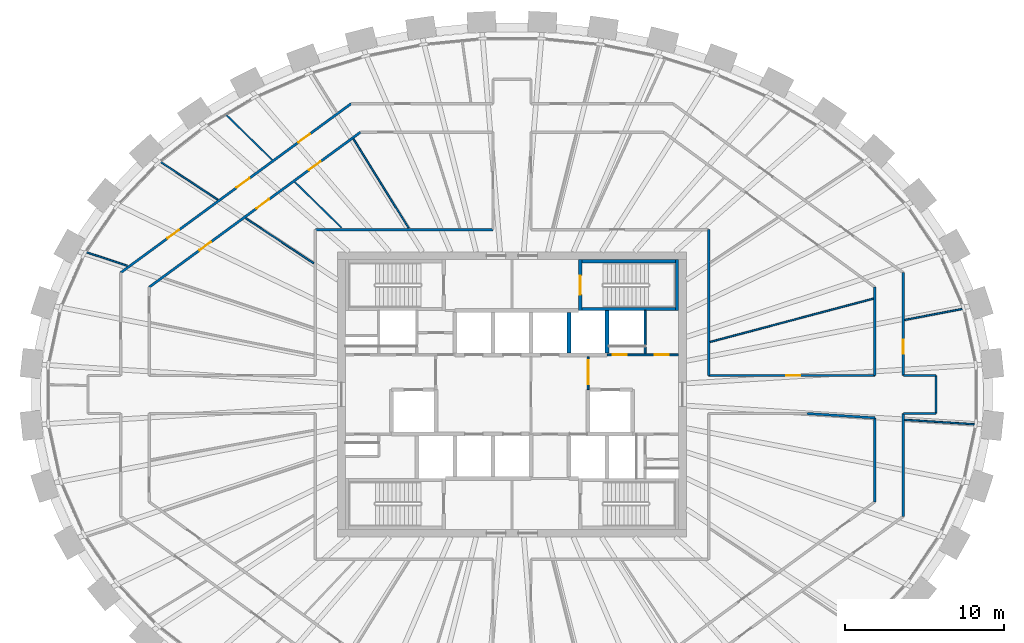
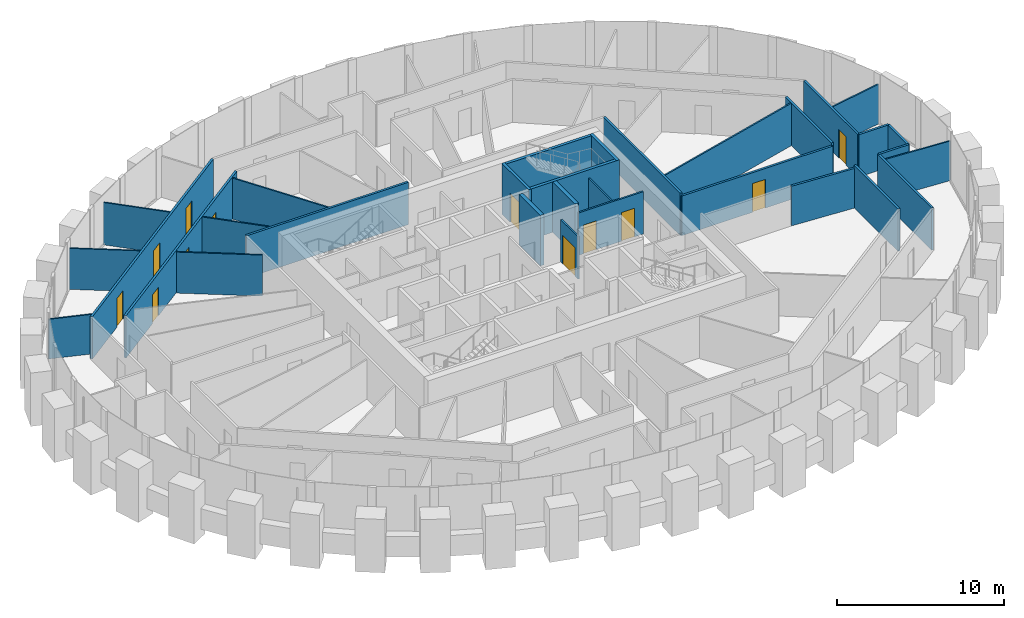
# One storey, part 9 of 12: 31 walls, 12 doors, 12 openings.
"""IFC4 building model written with IfcOpenShell, lengths in metres."""

from ifc_helpers import new_model, si_unit, direction, frame, frame_2d, origin, place, context, subcontext, project, spatial, rectangle, extrude, source, transform, mapped, material, layer, layer_set, type_object, element, fill, save


model = new_model("IFC4")

# Units and contexts
model_context = context("Model", 3, precision=1e-05, world=origin(), true_north=direction((0.0, 1.0)))
body_context = subcontext(model_context, "Body", "Model", "MODEL_VIEW")
ifc_project = project(units=[si_unit("LENGTHUNIT", "METRE"), si_unit("AREAUNIT", "SQUARE_METRE"), si_unit("VOLUMEUNIT", "CUBIC_METRE"), si_unit("PLANEANGLEUNIT", "RADIAN"), si_unit("MASSUNIT", "GRAM", prefix="KILO")], contexts=[model_context])

# Site, building, storey
site_placement = place(None, origin())
site = spatial("IfcSite", under=ifc_project, at=site_placement, CompositionType="ELEMENT")
building_placement = place(site_placement, origin())
building = spatial("IfcBuilding", under=site, at=building_placement, Name="Embergate Tower", CompositionType="ELEMENT")
storey_placement = place(building_placement, frame((0.0, 0.0, 309.10009765625)))
storey = spatial("IfcBuildingStorey", under=building, at=storey_placement, Name="L72", CompositionType="ELEMENT", Elevation=309.10009765625)

# Walls
ifc_material_1 = material(Name="Concrete C50", Category="concrete")
ifc_layer_1 = layer(ifc_material_1, 0.25)
ifc_layer_set_1 = layer_set([ifc_layer_1], Name="Concrete C50")
wall_type_1 = type_object("IfcWallType", Name="Hoistway wall reinforced concrete 250", PredefinedType="SHEAR", material=ifc_layer_set_1)
shared_shape_1 = source(origin(), body_context, "Body", "SweptSolid", [
    extrude(rectangle(XDim=2.675048828125, YDim=0.25, at=frame_2d((1.33740234375, 0.0))), origin(), (0.0, 0.0, 1.0), 3.699951171875),
])
wall_1_placement = place(storey_placement, frame((6.0, 2.625, 0.0), z_axis=(0.0, 0.0, 1.0), x_axis=(0.0, 1.0, 0.0)))
element("IfcWall", 1, at=wall_1_placement, inside=storey, type_object=wall_type_1, Name="HW-1 wall", PredefinedType="SHEAR", context=body_context, shape_type="MappedRepresentation", body=[
    mapped(shared_shape_1, transform((0.0, 0.0, 0.0))),
])
ifc_layer_2 = layer(ifc_material_1, 0.199951171875)
ifc_layer_set_2 = layer_set([ifc_layer_2], Name="Concrete C50")
wall_type_2 = type_object("IfcWallType", Name="Stair enclosure wall reinforced concrete 250", PredefinedType="SHEAR", material=ifc_layer_set_2)
shared_shape_2 = source(origin(), body_context, "Body", "SweptSolid", [
    extrude(rectangle(XDim=6.300048828125, YDim=0.199951171875, at=frame_2d((3.14990234375, 0.0))), origin(), (0.0, 0.0, 1.0), 3.699951171875),
])
wall_2_placement = place(storey_placement, frame((10.5, 5.39990234375, 0.0), z_axis=(0.0, 0.0, 1.0), x_axis=(-1.0, 0.0, 0.0)))
element("IfcWall", 2, at=wall_2_placement, inside=storey, type_object=wall_type_2, Name="SE-1 wall", PredefinedType="SHEAR", context=body_context, shape_type="MappedRepresentation", body=[
    mapped(shared_shape_2, transform((0.0, 0.0, 0.0))),
])
shared_shape_3 = source(origin(), body_context, "Body", "SweptSolid", [
    extrude(rectangle(XDim=2.550048828125, YDim=0.25, at=frame_2d((1.27490234375, 0.0))), origin(), (0.0, 0.0, 1.0), 3.699951171875),
])
wall_3_placement = place(storey_placement, frame((3.60009765625, 2.625, 0.0), z_axis=(0.0, 0.0, 1.0), x_axis=(0.0, 1.0, 0.0)))
element("IfcWall", 3, at=wall_3_placement, inside=storey, type_object=wall_type_1, Name="HW-1 wall", PredefinedType="SHEAR", context=body_context, shape_type="MappedRepresentation", body=[
    mapped(shared_shape_3, transform((0.0, 0.0, 0.0))),
])

# Wall, opening, door
shared_shape_4 = source(origin(), body_context, "Body", "SweptSolid", [
    extrude(rectangle(XDim=3.199951171875, YDim=0.199951171875, at=frame_2d((1.60009765625, 0.0))), origin(), (0.0, 0.0, 1.0), 3.699951171875),
])
wall_4_placement = place(storey_placement, frame((4.300048828125, 8.5, 0.0), z_axis=(0.0, 0.0, 1.0), x_axis=(0.0, -1.0, 0.0)))
wall_4 = element("IfcWall", 4, at=wall_4_placement, inside=storey, type_object=wall_type_2, Name="SE-1 wall", PredefinedType="SHEAR", context=body_context, shape_type="MappedRepresentation", body=[
    mapped(shared_shape_4, transform((0.0, 0.0, 0.0))),
])
shared_shape_5 = source(origin(), body_context, "Body", "SweptSolid", [
    extrude(rectangle(XDim=1.199951171875, YDim=2.10009765625, at=frame_2d((0.60009765625, 1.050048828125))), frame((0.0, 0.10986328125, 0.0), z_axis=(0.0, -1.0, 0.0), x_axis=(1.0, 0.0, 0.0)), (0.0, 0.0, 1.0), 0.219970703125),
])
opening_1_placement = place(wall_4_placement, frame((1.0, 0.0, 0.0)))
opening_1 = element("IfcOpeningElement", 5, at=opening_1_placement, cuts=wall_4, Name="Opening IF-2", PredefinedType="OPENING", context=body_context, shape_type="MappedRepresentation", body=[
    mapped(shared_shape_5, transform((0.0, 0.0, 0.0))),
])
ifc_material_2 = material(Name="Stair enclosure door 1200")
door_type_1 = type_object("IfcDoorType", Name="Stair enclosure door 1200", OperationType="SINGLE_SWING_LEFT", PredefinedType="DOOR", material=ifc_material_2)
shared_shape_6 = source(origin(), body_context, "Body", "SweptSolid", [
    extrude(rectangle(XDim=1.199951171875, YDim=2.10009765625, at=frame_2d((0.60009765625, 1.050048828125))), frame((0.0, 0.02490234375, 0.0), z_axis=(0.0, -1.0, 0.0), x_axis=(1.0, 0.0, 0.0)), (0.0, 0.0, 1.0), 0.050048828125),
])
door_1_placement = place(opening_1_placement, origin())
door_1 = element("IfcDoor", 6, at=door_1_placement, inside=storey, type_object=door_type_1, Name="IF-2 door", OperationType="SINGLE_SWING_RIGHT", OverallHeight=2.10009765625, OverallWidth=1.199951171875, PredefinedType="DOOR", context=body_context, shape_type="MappedRepresentation", body=[
    mapped(shared_shape_6, transform((0.0, 0.0, 0.0))),
])
fill(opening_1, door_1)

# Wall
ifc_material_3 = material(Name="Core partition blockwork 120")
ifc_layer_3 = layer(ifc_material_3, 0.1201171875)
ifc_layer_set_3 = layer_set([ifc_layer_3], Name="Core partition blockwork 120")
wall_type_3 = type_object("IfcWallType", Name="Core partition blockwork 120", PredefinedType="PARTITIONING", material=ifc_layer_set_3)
shared_shape_7 = source(origin(), body_context, "Body", "SweptSolid", [
    extrude(rectangle(XDim=2.739990234375, YDim=0.1201171875, at=frame_2d((1.3701171875, 0.0))), origin(), (0.0, 0.0, 1.0), 3.099853515625),
])
wall_5_placement = place(storey_placement, frame((8.39990234375, 2.56005859375, 0.0), z_axis=(0.0, 0.0, 1.0), x_axis=(0.0, 1.0, 0.0)))
element("IfcWall", 7, at=wall_5_placement, inside=storey, type_object=wall_type_3, Name="IP-3 wall", PredefinedType="PARTITIONING", context=body_context, shape_type="MappedRepresentation", body=[
    mapped(shared_shape_7, transform((0.0, 0.0, 0.0))),
])

# Wall, opening, door
shared_shape_8 = source(origin(), body_context, "Body", "SweptSolid", [
    extrude(rectangle(XDim=2.074951171875, YDim=0.1201171875, at=frame_2d((1.03759765625, 0.0))), origin(), (0.0, 0.0, 1.0), 3.099853515625),
])
wall_6_placement = place(storey_placement, frame((4.800048828125, 0.300048828125, 0.0), z_axis=(0.0, 0.0, 1.0), x_axis=(0.0, 1.0, 0.0)))
wall_6 = element("IfcWall", 8, at=wall_6_placement, inside=storey, type_object=wall_type_3, Name="IP-3 wall", PredefinedType="PARTITIONING", context=body_context, shape_type="MappedRepresentation", body=[
    mapped(shared_shape_8, transform((0.0, 0.0, 0.0))),
])
shared_shape_9 = source(origin(), body_context, "Body", "SweptSolid", [
    extrude(rectangle(XDim=1.5, YDim=2.10009765625, at=frame_2d((0.75, 1.050048828125))), frame((0.0, 0.070068359375, 0.0), z_axis=(0.0, -1.0, 0.0), x_axis=(1.0, 0.0, 0.0)), (0.0, 0.0, 1.0), 0.14013671875),
])
opening_2_placement = place(wall_6_placement, frame((0.35009765625, 0.0, 0.0)))
opening_2 = element("IfcOpeningElement", 9, at=opening_2_placement, cuts=wall_6, Name="Opening IF-3", PredefinedType="OPENING", context=body_context, shape_type="MappedRepresentation", body=[
    mapped(shared_shape_9, transform((0.0, 0.0, 0.0))),
])
ifc_material_4 = material(Name="Lobby fire door pair 1500")
door_type_2 = type_object("IfcDoorType", Name="Lobby fire door pair 1500", OperationType="DOUBLE_DOOR_SINGLE_SWING", PredefinedType="DOOR", material=ifc_material_4)
shared_shape_10 = source(origin(), body_context, "Body", "SweptSolid", [
    extrude(rectangle(XDim=1.5, YDim=2.10009765625, at=frame_2d((0.75, 1.050048828125))), frame((0.0, 0.02490234375, 0.0), z_axis=(0.0, -1.0, 0.0), x_axis=(1.0, 0.0, 0.0)), (0.0, 0.0, 1.0), 0.050048828125),
])
door_2_placement = place(opening_2_placement, origin())
door_2 = element("IfcDoor", 10, at=door_2_placement, inside=storey, type_object=door_type_2, Name="IF-3 door", OperationType="DOUBLE_DOOR_SINGLE_SWING", OverallHeight=2.10009765625, OverallWidth=1.5, PredefinedType="DOOR", context=body_context, shape_type="MappedRepresentation", body=[
    mapped(shared_shape_10, transform((0.0, 0.0, 0.0))),
])
fill(opening_2, door_2)

# Walls
ifc_material_5 = material(Name="Partition dry-lined 100")
ifc_layer_4 = layer(ifc_material_5, 0.10009765625)
ifc_layer_set_4 = layer_set([ifc_layer_4], Name="Partition dry-lined 100")
wall_type_4 = type_object("IfcWallType", Name="Partition dry-lined 100", PredefinedType="PARTITIONING", material=ifc_layer_set_4)
shared_shape_11 = source(origin(), body_context, "Body", "SweptSolid", [
    extrude(rectangle(XDim=4.35986328125, YDim=0.10009765625, at=frame_2d((2.179931640625, 0.0))), origin(), (0.0, 0.0, 1.0), 3.0),
])
wall_7_placement = place(storey_placement, frame((-18.56103515625, 12.283935546875, 0.0), z_axis=(0.0, 0.0, 1.0), x_axis=(-0.833949259323, 0.551841130104, 0.0)))
element("IfcWall", 11, at=wall_7_placement, inside=storey, type_object=wall_type_4, Name="IP-1 wall", PredefinedType="PARTITIONING", context=body_context, shape_type="MappedRepresentation", body=[
    mapped(shared_shape_11, transform((0.0, 0.0, 0.0))),
])
ifc_material_6 = material(Name="Corridor wall dry-lined 150")
ifc_layer_5 = layer(ifc_material_6, 0.14990234375)
ifc_layer_set_5 = layer_set([ifc_layer_5], Name="Corridor wall dry-lined 150")
wall_type_5 = type_object("IfcWallType", Name="Corridor wall dry-lined 150", PredefinedType="PARTITIONING", material=ifc_layer_set_5)
shared_shape_12 = source(origin(), body_context, "Body", "SweptSolid", [
    extrude(rectangle(XDim=2.39990234375, YDim=0.14990234375, at=frame_2d((1.199951171875, 0.0))), origin(), (0.0, 0.0, 1.0), 3.099853515625),
])
wall_8_placement = place(storey_placement, frame((26.740966796875, -1.199951171875, 0.0), z_axis=(0.0, 0.0, 1.0), x_axis=(0.0, 1.0, 0.0)))
element("IfcWall", 12, at=wall_8_placement, inside=storey, type_object=wall_type_5, Name="IP-2 wall", PredefinedType="PARTITIONING", context=body_context, shape_type="MappedRepresentation", body=[
    mapped(shared_shape_12, transform((0.0, 0.0, 0.0))),
])
shared_shape_13 = source(origin(), body_context, "Body", "SweptSolid", [
    extrude(rectangle(XDim=9.199951171875, YDim=0.14990234375, at=frame_2d((4.60009765625, 0.0))), origin(), (0.0, 0.0, 1.0), 3.099853515625),
])
wall_9_placement = place(storey_placement, frame((12.39990234375, 10.39990234375, 0.0), z_axis=(0.0, 0.0, 1.0), x_axis=(0.0, -1.0, 0.0)))
element("IfcWall", 13, at=wall_9_placement, inside=storey, type_object=wall_type_5, Name="IP-2 wall", PredefinedType="PARTITIONING", context=body_context, shape_type="MappedRepresentation", body=[
    mapped(shared_shape_13, transform((0.0, 0.0, 0.0))),
])
shared_shape_14 = source(origin(), body_context, "Body", "SweptSolid", [
    extrude(rectangle(XDim=11.199951171875, YDim=0.14990234375, at=frame_2d((5.60009765625, 0.0))), origin(), (0.0, 0.0, 1.0), 3.099853515625),
])
wall_10_placement = place(storey_placement, frame((-12.39990234375, 10.39990234375, 0.0), z_axis=(0.0, 0.0, 1.0), x_axis=(1.0, 0.0, 0.0)))
element("IfcWall", 14, at=wall_10_placement, inside=storey, type_object=wall_type_5, Name="IP-2 wall", PredefinedType="PARTITIONING", context=body_context, shape_type="MappedRepresentation", body=[
    mapped(shared_shape_14, transform((0.0, 0.0, 0.0))),
])

# Wall, openings, doors
shared_shape_15 = source(origin(), body_context, "Body", "SweptSolid", [
    extrude(rectangle(XDim=4.5, YDim=0.1201171875, at=frame_2d((2.25, 0.0))), origin(), (0.0, 0.0, 1.0), 3.099853515625),
])
wall_11_placement = place(storey_placement, frame((6.0, 2.5, 0.0), z_axis=(0.0, 0.0, 1.0), x_axis=(1.0, 0.0, 0.0)))
wall_11 = element("IfcWall", 15, at=wall_11_placement, inside=storey, type_object=wall_type_3, Name="IP-3 wall", PredefinedType="PARTITIONING", context=body_context, shape_type="MappedRepresentation", body=[
    mapped(shared_shape_15, transform((0.0, 0.0, 0.0))),
])
shared_shape_16 = source(origin(), body_context, "Body", "SweptSolid", [
    extrude(rectangle(XDim=0.89990234375, YDim=2.10009765625, at=frame_2d((0.449951171875, 1.050048828125))), frame((0.0, 0.070068359375, 0.0), z_axis=(0.0, -1.0, 0.0), x_axis=(1.0, 0.0, 0.0)), (0.0, 0.0, 1.0), 0.14013671875),
])
opening_3_placement = place(wall_11_placement, frame((0.35009765625, 0.0, 0.0)))
opening_3 = element("IfcOpeningElement", 16, at=opening_3_placement, cuts=wall_11, Name="Opening ID-1", PredefinedType="OPENING", context=body_context, shape_type="MappedRepresentation", body=[
    mapped(shared_shape_16, transform((0.0, 0.0, 0.0))),
])
opening_4_placement = place(wall_11_placement, frame((3.0, 0.0, 0.0)))
opening_4 = element("IfcOpeningElement", 17, at=opening_4_placement, cuts=wall_11, Name="Opening ID-1", PredefinedType="OPENING", context=body_context, shape_type="MappedRepresentation", body=[
    mapped(shared_shape_16, transform((0.0, 0.0, 0.0))),
])
ifc_material_7 = material(Name="Interior door 900")
door_type_3 = type_object("IfcDoorType", Name="Interior door 900", OperationType="SINGLE_SWING_LEFT", PredefinedType="DOOR", material=ifc_material_7)
shared_shape_17 = source(origin(), body_context, "Body", "SweptSolid", [
    extrude(rectangle(XDim=0.89990234375, YDim=2.10009765625, at=frame_2d((0.449951171875, 1.050048828125))), frame((0.0, 0.02490234375, 0.0), z_axis=(0.0, -1.0, 0.0), x_axis=(1.0, 0.0, 0.0)), (0.0, 0.0, 1.0), 0.050048828125),
])
door_3_placement = place(opening_3_placement, origin())
door_3 = element("IfcDoor", 18, at=door_3_placement, inside=storey, type_object=door_type_3, Name="ID-1 door", OperationType="SINGLE_SWING_RIGHT", OverallHeight=2.10009765625, OverallWidth=0.89990234375, PredefinedType="DOOR", context=body_context, shape_type="MappedRepresentation", body=[
    mapped(shared_shape_17, transform((0.0, 0.0, 0.0))),
])
fill(opening_3, door_3)
door_4_placement = place(opening_4_placement, origin())
door_4 = element("IfcDoor", 19, at=door_4_placement, inside=storey, type_object=door_type_3, Name="ID-1 door", OperationType="SINGLE_SWING_LEFT", OverallHeight=2.10009765625, OverallWidth=0.89990234375, PredefinedType="DOOR", context=body_context, shape_type="MappedRepresentation", body=[
    mapped(shared_shape_17, transform((0.0, 0.0, 0.0))),
])
fill(opening_4, door_4)

# Walls
shared_shape_18 = source(origin(), body_context, "Body", "SweptSolid", [
    extrude(rectangle(XDim=6.298095703125, YDim=0.199951171875, at=frame_2d((3.14892578125, 0.0))), origin(), (0.0, 0.0, 1.0), 3.699951171875),
])
wall_12_placement = place(storey_placement, frame((10.5, 8.39990234375, 0.0), z_axis=(0.0, 0.0, 1.0), x_axis=(-1.0, 0.0, 0.0)))
element("IfcWall", 20, at=wall_12_placement, inside=storey, type_object=wall_type_2, Name="SE-1 wall", PredefinedType="SHEAR", context=body_context, shape_type="MappedRepresentation", body=[
    mapped(shared_shape_18, transform((0.0, 0.0, 0.0))),
])
shared_shape_19 = source(origin(), body_context, "Body", "SweptSolid", [
    extrude(rectangle(XDim=3.197998046875, YDim=0.199951171875, at=frame_2d((1.59912109375, 0.0))), origin(), (0.0, 0.0, 1.0), 3.699951171875),
])
wall_13_placement = place(storey_placement, frame((10.39990234375, 5.302001953125, 0.0), z_axis=(0.0, 0.0, 1.0), x_axis=(0.0, 1.0, 0.0)))
element("IfcWall", 21, at=wall_13_placement, inside=storey, type_object=wall_type_2, Name="SE-1 wall", PredefinedType="SHEAR", context=body_context, shape_type="MappedRepresentation", body=[
    mapped(shared_shape_19, transform((0.0, 0.0, 0.0))),
])
shared_shape_20 = source(origin(), body_context, "Body", "SweptSolid", [
    extrude(rectangle(XDim=6.612060546875, YDim=0.10009765625, at=frame_2d((3.30615234375, 0.0))), origin(), (0.0, 0.0, 1.0), 3.0),
])
wall_14_placement = place(storey_placement, frame((-6.51806640625, 10.5009765625, 0.0), z_axis=(0.0, 0.0, 1.0), x_axis=(-0.527344479033, 0.849651575902, 0.0)))
element("IfcWall", 22, at=wall_14_placement, inside=storey, type_object=wall_type_4, Name="IP-1 wall", PredefinedType="PARTITIONING", context=body_context, shape_type="MappedRepresentation", body=[
    mapped(shared_shape_20, transform((0.0, 0.0, 0.0))),
])
shared_shape_21 = source(origin(), body_context, "Body", "SweptSolid", [
    extrude(rectangle(XDim=5.1494140625, YDim=0.10009765625, at=frame_2d((2.57470703125, 0.0))), origin(), (0.0, 0.0, 1.0), 3.0),
])
wall_15_placement = place(storey_placement, frame((-12.5029296875, 8.27392578125, 0.0), z_axis=(0.0, 0.0, 1.0), x_axis=(-0.833905572374, 0.551907144693, 0.0)))
element("IfcWall", 23, at=wall_15_placement, inside=storey, type_object=wall_type_4, Name="IP-1 wall", PredefinedType="PARTITIONING", context=body_context, shape_type="MappedRepresentation", body=[
    mapped(shared_shape_21, transform((0.0, 0.0, 0.0))),
])

# Wall, openings, doors
shared_shape_22 = source(origin(), body_context, "Body", "SweptSolid", [
    extrude(rectangle(XDim=18.027099609375, YDim=0.14990234375, at=frame_2d((9.013671875, 0.0))), origin(), (0.0, 0.0, 1.0), 3.099853515625),
])
wall_16_placement = place(storey_placement, frame((-10.14501953125, 18.341064453125, 0.0), z_axis=(0.0, 0.0, 1.0), x_axis=(-0.80638475932, -0.591391257914, 0.0)))
wall_16 = element("IfcWall", 24, at=wall_16_placement, inside=storey, type_object=wall_type_5, Name="IP-2 wall", PredefinedType="PARTITIONING", context=body_context, shape_type="MappedRepresentation", body=[
    mapped(shared_shape_22, transform((0.0, 0.0, 0.0))),
])
shared_shape_23 = source(origin(), body_context, "Body", "SweptSolid", [
    extrude(rectangle(XDim=0.89990234375, YDim=2.10009765625, at=frame_2d((0.449951171875, 1.050048828125))), frame((0.0, 0.0849609375, 0.0), z_axis=(0.0, -1.0, 0.0), x_axis=(1.0, 0.0, 0.0)), (0.0, 0.0, 1.0), 0.169921875),
])
opening_5_placement = place(wall_16_placement, frame((3.23291015625, 0.0, 0.0)))
opening_5 = element("IfcOpeningElement", 25, at=opening_5_placement, cuts=wall_16, Name="Opening IF-1c", PredefinedType="OPENING", context=body_context, shape_type="MappedRepresentation", body=[
    mapped(shared_shape_23, transform((0.0, 0.0, 0.0))),
])
shared_shape_24 = source(origin(), body_context, "Body", "SweptSolid", [
    extrude(rectangle(XDim=1.0, YDim=2.10009765625, at=frame_2d((0.5, 1.050048828125))), frame((0.0, 0.0849609375, 0.0), z_axis=(0.0, -1.0, 0.0), x_axis=(1.0, 0.0, 0.0)), (0.0, 0.0, 1.0), 0.169921875),
])
opening_6_placement = place(wall_16_placement, frame((7.953125, 0.0, 0.0)))
opening_6 = element("IfcOpeningElement", 26, at=opening_6_placement, cuts=wall_16, Name="Opening ID-2", PredefinedType="OPENING", context=body_context, shape_type="MappedRepresentation", body=[
    mapped(shared_shape_24, transform((0.0, 0.0, 0.0))),
])
opening_7_placement = place(wall_16_placement, frame((13.453369140625, 0.0, 0.0)))
opening_7 = element("IfcOpeningElement", 27, at=opening_7_placement, cuts=wall_16, Name="Opening IF-1c", PredefinedType="OPENING", context=body_context, shape_type="MappedRepresentation", body=[
    mapped(shared_shape_23, transform((0.0, 0.0, 0.0))),
])
ifc_material_8 = material(Name="Escape fire door 900")
door_type_4 = type_object("IfcDoorType", Name="Escape fire door 900", OperationType="SINGLE_SWING_LEFT", PredefinedType="DOOR", material=ifc_material_8)
door_5_placement = place(opening_5_placement, origin())
door_5 = element("IfcDoor", 28, at=door_5_placement, inside=storey, type_object=door_type_4, Name="IF-1 door", OperationType="SINGLE_SWING_RIGHT", OverallHeight=2.10009765625, OverallWidth=0.89990234375, PredefinedType="DOOR", context=body_context, shape_type="MappedRepresentation", body=[
    mapped(shared_shape_17, transform((0.0, 0.0, 0.0))),
])
fill(opening_5, door_5)
door_6_placement = place(opening_7_placement, origin())
door_6 = element("IfcDoor", 29, at=door_6_placement, inside=storey, type_object=door_type_4, Name="IF-1 door", OperationType="SINGLE_SWING_RIGHT", OverallHeight=2.10009765625, OverallWidth=0.89990234375, PredefinedType="DOOR", context=body_context, shape_type="MappedRepresentation", body=[
    mapped(shared_shape_17, transform((0.0, 0.0, 0.0))),
])
fill(opening_7, door_6)
ifc_material_9 = material(Name="Interior door 1000")
door_type_5 = type_object("IfcDoorType", Name="Interior door 1000", OperationType="SINGLE_SWING_LEFT", PredefinedType="DOOR", material=ifc_material_9)
shared_shape_25 = source(origin(), body_context, "Body", "SweptSolid", [
    extrude(rectangle(XDim=1.0, YDim=2.10009765625, at=frame_2d((0.5, 1.050048828125))), frame((0.0, 0.02490234375, 0.0), z_axis=(0.0, -1.0, 0.0), x_axis=(1.0, 0.0, 0.0)), (0.0, 0.0, 1.0), 0.050048828125),
])
door_7_placement = place(opening_6_placement, origin())
door_7 = element("IfcDoor", 30, at=door_7_placement, inside=storey, type_object=door_type_5, Name="ID-2 door", OperationType="SINGLE_SWING_RIGHT", OverallHeight=2.10009765625, OverallWidth=1.0, PredefinedType="DOOR", context=body_context, shape_type="MappedRepresentation", body=[
    mapped(shared_shape_25, transform((0.0, 0.0, 0.0))),
])
fill(opening_6, door_7)

shared_shape_26 = source(origin(), body_context, "Body", "SweptSolid", [
    extrude(rectangle(XDim=16.525634765625, YDim=0.14990234375, at=frame_2d((8.2626953125, 0.0))), origin(), (0.0, 0.0, 1.0), 3.099853515625),
])
wall_17_placement = place(storey_placement, frame((-22.882080078125, 6.76806640625, 0.0), z_axis=(0.0, 0.0, 1.0), x_axis=(0.806392784122, 0.591380315631, 0.0)))
wall_17 = element("IfcWall", 31, at=wall_17_placement, inside=storey, type_object=wall_type_5, Name="IP-2 wall", PredefinedType="PARTITIONING", context=body_context, shape_type="MappedRepresentation", body=[
    mapped(shared_shape_26, transform((0.0, 0.0, 0.0))),
])
opening_8_placement = place(wall_17_placement, frame((12.513671875, 0.0, 0.0)))
opening_8 = element("IfcOpeningElement", 32, at=opening_8_placement, cuts=wall_17, Name="Opening IF-1c", PredefinedType="OPENING", context=body_context, shape_type="MappedRepresentation", body=[
    mapped(shared_shape_23, transform((0.0, 0.0, 0.0))),
])
opening_9_placement = place(wall_17_placement, frame((8.378662109375, 0.0, 0.0)))
opening_9 = element("IfcOpeningElement", 33, at=opening_9_placement, cuts=wall_17, Name="Opening ID-2", PredefinedType="OPENING", context=body_context, shape_type="MappedRepresentation", body=[
    mapped(shared_shape_24, transform((0.0, 0.0, 0.0))),
])
opening_10_placement = place(wall_17_placement, frame((3.93310546875, 0.0, 0.0)))
opening_10 = element("IfcOpeningElement", 34, at=opening_10_placement, cuts=wall_17, Name="Opening IF-1c", PredefinedType="OPENING", context=body_context, shape_type="MappedRepresentation", body=[
    mapped(shared_shape_23, transform((0.0, 0.0, 0.0))),
])
door_8_placement = place(opening_8_placement, origin())
door_8 = element("IfcDoor", 35, at=door_8_placement, inside=storey, type_object=door_type_4, Name="IF-1 door", OperationType="SINGLE_SWING_LEFT", OverallHeight=2.10009765625, OverallWidth=0.89990234375, PredefinedType="DOOR", context=body_context, shape_type="MappedRepresentation", body=[
    mapped(shared_shape_17, transform((0.0, 0.0, 0.0))),
])
fill(opening_8, door_8)
door_9_placement = place(opening_10_placement, origin())
door_9 = element("IfcDoor", 36, at=door_9_placement, inside=storey, type_object=door_type_4, Name="IF-1 door", OperationType="SINGLE_SWING_LEFT", OverallHeight=2.10009765625, OverallWidth=0.89990234375, PredefinedType="DOOR", context=body_context, shape_type="MappedRepresentation", body=[
    mapped(shared_shape_17, transform((0.0, 0.0, 0.0))),
])
fill(opening_10, door_9)
door_10_placement = place(opening_9_placement, origin())
door_10 = element("IfcDoor", 37, at=door_10_placement, inside=storey, type_object=door_type_5, Name="ID-2 door", OperationType="SINGLE_SWING_LEFT", OverallHeight=2.10009765625, OverallWidth=1.0, PredefinedType="DOOR", context=body_context, shape_type="MappedRepresentation", body=[
    mapped(shared_shape_25, transform((0.0, 0.0, 0.0))),
])
fill(opening_9, door_10)

# Wall
ifc_material_10 = material(Name="Corridor wall dry-lined 150 wet")
ifc_layer_6 = layer(ifc_material_10, 0.14990234375)
ifc_layer_set_6 = layer_set([ifc_layer_6], Name="Corridor wall dry-lined 150 wet")
wall_type_6 = type_object("IfcWallType", Name="Corridor wall dry-lined 150 wet", PredefinedType="PLUMBINGWALL", material=ifc_layer_set_6)
shared_shape_27 = source(origin(), body_context, "Body", "SweptSolid", [
    extrude(rectangle(XDim=6.47998046875, YDim=0.14990234375, at=frame_2d((3.239990234375, 0.0))), origin(), (0.0, 0.0, 1.0), 3.099853515625),
])
wall_18_placement = place(storey_placement, frame((24.681884765625, -7.679931640625, 0.0), z_axis=(0.0, 0.0, 1.0), x_axis=(0.0, 1.0, 0.0)))
element("IfcWall", 38, at=wall_18_placement, inside=storey, type_object=wall_type_6, Name="IP-2 wall", PredefinedType="PLUMBINGWALL", context=body_context, shape_type="MappedRepresentation", body=[
    mapped(shared_shape_27, transform((0.0, 0.0, 0.0))),
])

# Wall, opening, door
wall_19_placement = place(storey_placement, frame((24.681884765625, 1.199951171875, 0.0), z_axis=(0.0, 0.0, 1.0), x_axis=(0.0, 1.0, 0.0)))
wall_19 = element("IfcWall", 39, at=wall_19_placement, inside=storey, type_object=wall_type_5, Name="IP-2 wall", PredefinedType="PARTITIONING", context=body_context, shape_type="MappedRepresentation", body=[
    mapped(shared_shape_27, transform((0.0, 0.0, 0.0))),
])
opening_11_placement = place(wall_19_placement, frame((1.35498046875, 0.0, 0.0)))
opening_11 = element("IfcOpeningElement", 40, at=opening_11_placement, cuts=wall_19, Name="Opening IF-1c", PredefinedType="OPENING", context=body_context, shape_type="MappedRepresentation", body=[
    mapped(shared_shape_23, transform((0.0, 0.0, 0.0))),
])
door_11_placement = place(opening_11_placement, origin())
door_11 = element("IfcDoor", 41, at=door_11_placement, inside=storey, type_object=door_type_4, Name="IF-1 door", OperationType="SINGLE_SWING_LEFT", OverallHeight=2.10009765625, OverallWidth=0.89990234375, PredefinedType="DOOR", context=body_context, shape_type="MappedRepresentation", body=[
    mapped(shared_shape_17, transform((0.0, 0.0, 0.0))),
])
fill(opening_11, door_11)

# Walls
shared_shape_28 = source(origin(), body_context, "Body", "SweptSolid", [
    extrude(rectangle(XDim=4.27294921875, YDim=0.14990234375, at=frame_2d((2.136474609375, 0.0))), origin(), (0.0, 0.0, 1.0), 2.89990234375),
])
wall_20_placement = place(storey_placement, frame((18.617919921875, -1.199951171875, 0.0), z_axis=(0.0, 0.0, 1.0), x_axis=(0.997924716851, -0.064391455164, 0.0)))
element("IfcWall", 42, at=wall_20_placement, inside=storey, type_object=wall_type_5, Name="IP-2 wall", PredefinedType="PARTITIONING", context=body_context, shape_type="MappedRepresentation", body=[
    mapped(shared_shape_28, transform((0.0, 0.0, 0.0))),
])
shared_shape_29 = source(origin(), body_context, "Body", "SweptSolid", [
    extrude(rectangle(XDim=5.29296875, YDim=0.14990234375, at=frame_2d((2.646484375, 0.0))), origin(), (0.0, 0.0, 1.0), 3.099853515625),
])
wall_21_placement = place(storey_placement, frame((22.882080078125, -1.47509765625, 0.0), z_axis=(0.0, 0.0, 1.0), x_axis=(0.0, -1.0, 0.0)))
element("IfcWall", 43, at=wall_21_placement, inside=storey, type_object=wall_type_5, Name="IP-2 wall", PredefinedType="PARTITIONING", context=body_context, shape_type="MappedRepresentation", body=[
    mapped(shared_shape_29, transform((0.0, 0.0, 0.0))),
])
shared_shape_30 = source(origin(), body_context, "Body", "SweptSolid", [
    extrude(rectangle(XDim=2.05908203125, YDim=0.14990234375, at=frame_2d((1.029541015625, 0.0))), origin(), (0.0, 0.0, 1.0), 3.099853515625),
])
for number, where, z_axis, x_axis, name in (
    (44, (24.681884765625, -1.199951171875, 0.0), (0.0, 0.0, 1.0), (1.0, 0.0, 0.0), "IP-2 wall"),
    (45, (26.740966796875, 1.199951171875, 0.0), (0.0, 0.0, 1.0), (-1.0, 0.0, 0.0), "IP-2 wall"),
):
    element("IfcWall", number, at=place(storey_placement, frame(where, z_axis=z_axis, x_axis=x_axis)), inside=storey, type_object=wall_type_5, Name=name, PredefinedType="PARTITIONING", context=body_context, shape_type="MappedRepresentation", body=[
        mapped(shared_shape_30, transform((0.0, 0.0, 0.0))),
    ])

# Wall, opening, door
shared_shape_31 = source(origin(), body_context, "Body", "SweptSolid", [
    extrude(rectangle(XDim=10.482177734375, YDim=0.14990234375, at=frame_2d((5.2412109375, 0.0))), origin(), (0.0, 0.0, 1.0), 2.89990234375),
])
wall_22_placement = place(storey_placement, frame((12.39990234375, 1.199951171875, 0.0), z_axis=(0.0, 0.0, 1.0), x_axis=(1.0, 0.0, 0.0)))
wall_22 = element("IfcWall", 46, at=wall_22_placement, inside=storey, type_object=wall_type_5, Name="IP-2 wall", PredefinedType="PARTITIONING", context=body_context, shape_type="MappedRepresentation", body=[
    mapped(shared_shape_31, transform((0.0, 0.0, 0.0))),
])
opening_12_placement = place(wall_22_placement, frame((4.881103515625, 0.0, 0.0)))
opening_12 = element("IfcOpeningElement", 47, at=opening_12_placement, cuts=wall_22, Name="Opening IF-1c", PredefinedType="OPENING", context=body_context, shape_type="MappedRepresentation", body=[
    mapped(shared_shape_23, transform((0.0, 0.0, 0.0))),
])
door_12_placement = place(opening_12_placement, origin())
door_12 = element("IfcDoor", 48, at=door_12_placement, inside=storey, type_object=door_type_4, Name="IF-1 door", OperationType="SINGLE_SWING_RIGHT", OverallHeight=2.10009765625, OverallWidth=0.89990234375, PredefinedType="DOOR", context=body_context, shape_type="MappedRepresentation", body=[
    mapped(shared_shape_17, transform((0.0, 0.0, 0.0))),
])
fill(opening_12, door_12)

# Walls
shared_shape_32 = source(origin(), body_context, "Body", "SweptSolid", [
    extrude(rectangle(XDim=5.568115234375, YDim=0.14990234375, at=frame_2d((2.7841796875, 0.0))), origin(), (0.0, 0.0, 1.0), 3.099853515625),
])
wall_23_placement = place(storey_placement, frame((22.882080078125, 1.199951171875, 0.0), z_axis=(0.0, 0.0, 1.0), x_axis=(0.0, 1.0, 0.0)))
element("IfcWall", 49, at=wall_23_placement, inside=storey, type_object=wall_type_5, Name="IP-2 wall", PredefinedType="PARTITIONING", context=body_context, shape_type="MappedRepresentation", body=[
    mapped(shared_shape_32, transform((0.0, 0.0, 0.0))),
])
shared_shape_33 = source(origin(), body_context, "Body", "SweptSolid", [
    extrude(rectangle(XDim=2.76171875, YDim=0.10009765625, at=frame_2d((1.380859375, 0.0))), origin(), (0.0, 0.0, 1.0), 2.89990234375),
])
wall_24_placement = place(storey_placement, frame((-24.264892578125, 8.114013671875, 0.0), z_axis=(0.0, 0.0, 1.0), x_axis=(-0.948364574498, 0.317182335319, 0.0)))
element("IfcWall", 50, at=wall_24_placement, inside=storey, type_object=wall_type_4, Name="IP-1 wall", PredefinedType="PARTITIONING", context=body_context, shape_type="MappedRepresentation", body=[
    mapped(shared_shape_33, transform((0.0, 0.0, 0.0))),
])
ifc_material_11 = material(Name="Partition dry-lined 100 wet")
ifc_layer_7 = layer(ifc_material_11, 0.10009765625)
ifc_layer_set_7 = layer_set([ifc_layer_7], Name="Partition dry-lined 100 wet")
wall_type_7 = type_object("IfcWallType", Name="Partition dry-lined 100 wet", PredefinedType="PLUMBINGWALL", material=ifc_layer_set_7)
shared_shape_34 = source(origin(), body_context, "Body", "SweptSolid", [
    extrude(rectangle(XDim=4.4892578125, YDim=0.10009765625, at=frame_2d((2.24462890625, 0.0))), origin(), (0.0, 0.0, 1.0), 2.89990234375),
])
wall_25_placement = place(storey_placement, frame((29.236083984375, -1.884033203125, 0.0), z_axis=(0.0, 0.0, 1.0), x_axis=(-0.997938812399, 0.064172632078, 0.0)))
element("IfcWall", 51, at=wall_25_placement, inside=storey, type_object=wall_type_7, Name="IP-1 wall", PredefinedType="PLUMBINGWALL", context=body_context, shape_type="MappedRepresentation", body=[
    mapped(shared_shape_34, transform((0.0, 0.0, 0.0))),
])
shared_shape_35 = source(origin(), body_context, "Body", "SweptSolid", [
    extrude(rectangle(XDim=3.77734375, YDim=0.10009765625, at=frame_2d((1.888671875, 0.0))), origin(), (0.0, 0.0, 1.0), 2.89990234375),
])
wall_26_placement = place(storey_placement, frame((28.47705078125, 5.407958984375, 0.0), z_axis=(0.0, 0.0, 1.0), x_axis=(-0.982424451701, -0.186660645823, 0.0)))
element("IfcWall", 52, at=wall_26_placement, inside=storey, type_object=wall_type_4, Name="IP-1 wall", PredefinedType="PARTITIONING", context=body_context, shape_type="MappedRepresentation", body=[
    mapped(shared_shape_35, transform((0.0, 0.0, 0.0))),
])
shared_shape_36 = source(origin(), body_context, "Body", "SweptSolid", [
    extrude(rectangle(XDim=10.662353515625, YDim=0.10009765625, at=frame_2d((5.3310546875, 0.0))), origin(), (0.0, 0.0, 1.0), 3.099853515625),
])
wall_27_placement = place(storey_placement, frame((22.7939453125, 6.0458984375, 0.0), z_axis=(0.0, 0.0, 1.0), x_axis=(-0.9665693176, -0.256405448996, 0.0)))
element("IfcWall", 53, at=wall_27_placement, inside=storey, type_object=wall_type_4, Name="IP-1 wall", PredefinedType="PARTITIONING", context=body_context, shape_type="MappedRepresentation", body=[
    mapped(shared_shape_36, transform((0.0, 0.0, 0.0))),
])
shared_shape_37 = source(origin(), body_context, "Body", "SweptSolid", [
    extrude(rectangle(XDim=4.14306640625, YDim=0.10009765625, at=frame_2d((2.071533203125, 0.0))), origin(), (0.0, 0.0, 1.0), 3.099853515625),
])
wall_28_placement = place(storey_placement, frame((-15.12109375, 14.794921875, 0.0), z_axis=(0.0, 0.0, 1.0), x_axis=(-0.714900619225, 0.69922607548, 0.0)))
element("IfcWall", 54, at=wall_28_placement, inside=storey, type_object=wall_type_4, Name="IP-1 wall", PredefinedType="PARTITIONING", context=body_context, shape_type="MappedRepresentation", body=[
    mapped(shared_shape_37, transform((0.0, 0.0, 0.0))),
])
shared_shape_38 = source(origin(), body_context, "Body", "SweptSolid", [
    extrude(rectangle(XDim=4.132568359375, YDim=0.10009765625, at=frame_2d((2.06640625, 0.0))), origin(), (0.0, 0.0, 1.0), 3.099853515625),
])
wall_29_placement = place(storey_placement, frame((-10.742919921875, 10.510986328125, 0.0), z_axis=(0.0, 0.0, 1.0), x_axis=(-0.71483274161, 0.69929546797, 0.0)))
element("IfcWall", 55, at=wall_29_placement, inside=storey, type_object=wall_type_4, Name="IP-1 wall", PredefinedType="PARTITIONING", context=body_context, shape_type="MappedRepresentation", body=[
    mapped(shared_shape_38, transform((0.0, 0.0, 0.0))),
])

save(model, "model.ifc")
